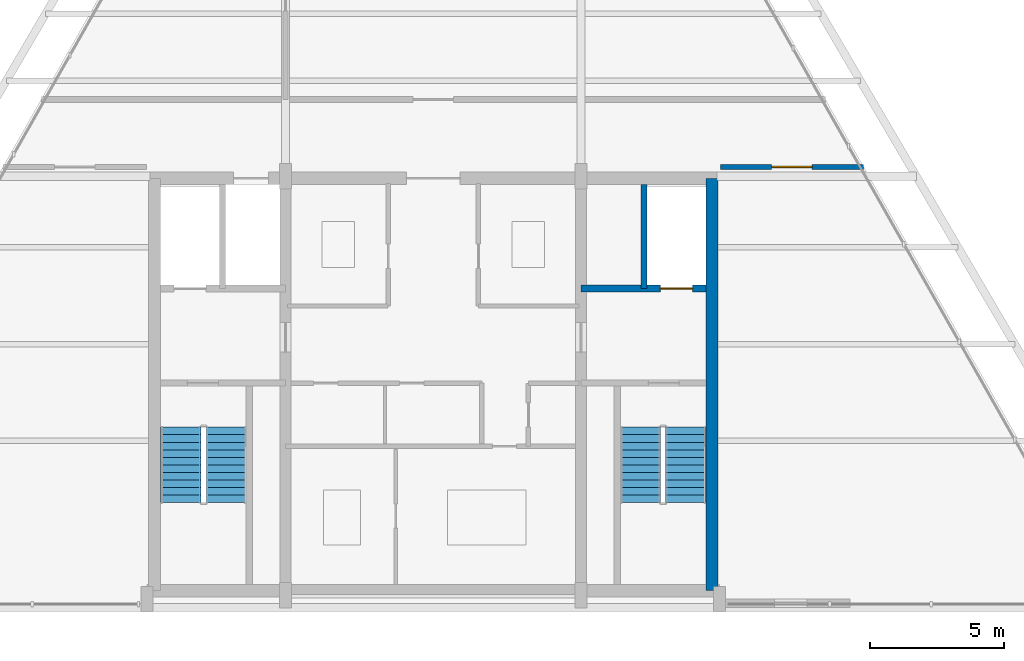
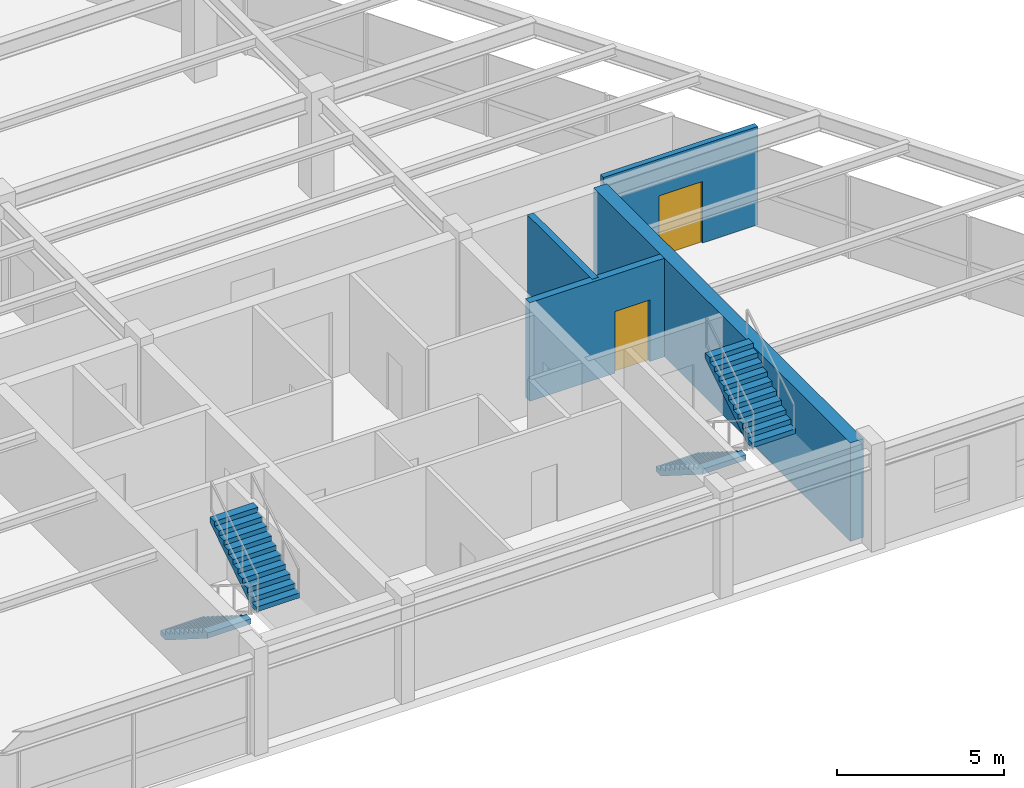
# One storey, part 11 of 12: 4 stair flights, 4 walls, 2 doors, 2 openings, 2 elements without a shape of their own.
"""IFC4 building model written with IfcOpenShell, lengths in metres."""

from ifc_helpers import new_model, si_unit, direction, frame, frame_2d, origin, place, context, subcontext, project, spatial, polyline, rectangle, outline, extrude, source, transform, mapped, material, layer, layer_set, type_object, type_shapes, element, fill, aggregate, save


model = new_model("IFC4")

# Units and contexts
model_context = context("Model", 3, precision=1e-05, world=origin(), true_north=direction((0.0, 1.0)))
body_context = subcontext(model_context, "Body", "Model", "MODEL_VIEW")
ifc_project = project(units=[si_unit("LENGTHUNIT", "METRE"), si_unit("AREAUNIT", "SQUARE_METRE"), si_unit("VOLUMEUNIT", "CUBIC_METRE"), si_unit("PLANEANGLEUNIT", "RADIAN"), si_unit("MASSUNIT", "GRAM", prefix="KILO")], contexts=[model_context])

# Site, building, storey
site_placement = place(None, origin())
site = spatial("IfcSite", under=ifc_project, at=site_placement, CompositionType="ELEMENT")
building_placement = place(site_placement, origin())
building = spatial("IfcBuilding", under=site, at=building_placement, Name="Varnakhor Terracotta Tower", CompositionType="ELEMENT")
storey_placement = place(building_placement, frame((0.0, 0.0, 313.60009765625)))
storey = spatial("IfcBuildingStorey", under=building, at=storey_placement, Name="L82 Crown", CompositionType="ELEMENT", Elevation=313.60009765625)

# Wall
ifc_material_1 = material(Name="Concrete C50/60", Category="concrete")
ifc_layer_1 = layer(ifc_material_1, 0.449951171875, Name="Concrete C50/60")
ifc_layer_set_1 = layer_set([ifc_layer_1], Name="Concrete C50/60")
wall_type_1 = type_object("IfcWallType", Name="WAL-CORE-450", PredefinedType="SHEAR", material=ifc_layer_set_1)
wall_1_placement = place(storey_placement, frame((10.375, 0.625, 0.0), z_axis=(0.0, 0.0, 1.0), x_axis=(0.0, 1.0, 0.0)))
element("IfcWall", 1, at=wall_1_placement, inside=storey, type_object=wall_type_1, Name="L82 Crown East Core Shear Wall", PredefinedType="SHEAR", context=body_context, shape_type="SweptSolid", body=[
    extrude(rectangle(XDim=15.35009765625, YDim=0.449951171875, at=frame_2d((7.675048828125, 0.0))), origin(), (0.0, 0.0, 1.0), 3.599853515625),
])

# Wall, opening, door
ifc_material_2 = material(Name="Fire-Rated Gypsum Stud Partition", Category="gypsum")
ifc_layer_2 = layer(ifc_material_2, 0.18505859375, Name="Fire-Rated Gypsum Stud Partition")
ifc_layer_set_2 = layer_set([ifc_layer_2], Name="Fire-Rated Gypsum Stud Partition")
wall_type_2 = type_object("IfcWallType", Name="WAL-CORR-185", PredefinedType="PARTITIONING", material=ifc_layer_set_2)
wall_2_placement = place(storey_placement, frame((10.679931640625, 16.39990234375, 0.0), z_axis=(0.0, 0.0, 1.0), x_axis=(1.0, 0.0, 0.0)))
wall_2 = element("IfcWall", 2, at=wall_2_placement, inside=storey, type_object=wall_type_2, Name="L82 Crown East Plant Wall", PredefinedType="PARTITIONING", context=body_context, shape_type="SweptSolid", body=[
    extrude(rectangle(XDim=5.32666015625, YDim=0.18505859375, at=frame_2d((2.663330078125, 0.0))), origin(), (0.0, 0.0, 1.0), 3.591796875),
])
opening_1_placement = place(wall_2_placement, frame((1.913330078125, 0.0, 0.0)))
opening_1 = element("IfcOpeningElement", 3, at=opening_1_placement, cuts=wall_2, Name="Opening DR-30", PredefinedType="OPENING", context=body_context, shape_type="SweptSolid", body=[
    extrude(rectangle(XDim=1.5, YDim=2.25, at=frame_2d((0.75, 1.125))), frame((0.0, 0.1025390625, 0.0), z_axis=(0.0, -1.0, 0.0), x_axis=(1.0, 0.0, 0.0)), (0.0, 0.0, 1.0), 0.205078125),
])
ifc_material_3 = material(Name="Double Acoustic Conference Room Door", Category="wood")
door_type_1 = type_object("IfcDoorType", Name="DR-MEET-1500X2250", OperationType="NOTDEFINED", PredefinedType="DOOR", material=ifc_material_3)
shared_shape_1 = source(origin(), body_context, "Body", "SweptSolid", [
    extrude(rectangle(XDim=1.5, YDim=2.25, at=frame_2d((0.75, 1.125))), frame((0.0, 0.02490234375, 0.0), z_axis=(0.0, -1.0, 0.0), x_axis=(1.0, 0.0, 0.0)), (0.0, 0.0, 1.0), 0.050048828125),
])
type_shapes(door_type_1, [shared_shape_1])
door_1_placement = place(opening_1_placement, origin())
door_1 = element("IfcDoor", 4, at=door_1_placement, inside=storey, type_object=door_type_1, Name="L82 Crown East Electrical Room Door", OperationType="DOUBLE_DOOR_SINGLE_SWING", OverallHeight=2.25, OverallWidth=1.5, PredefinedType="DOOR", context=body_context, shape_type="MappedRepresentation", body=[
    mapped(shared_shape_1, transform((0.0, 0.0, 0.0), scale=1.0)),
])
fill(opening_1, door_1)

# Wall
ifc_material_4 = material(Name="Concrete C40/50", Category="concrete")
ifc_layer_3 = layer(ifc_material_4, 0.219970703125, Name="Concrete C40/50")
ifc_layer_set_3 = layer_set([ifc_layer_3], Name="Concrete C40/50")
wall_type_3 = type_object("IfcWallType", Name="WAL-SHAFT-220", PredefinedType="SOLIDWALL", material=ifc_layer_set_3)
wall_3_placement = place(storey_placement, frame((7.840087890625, 11.8701171875, 0.0), z_axis=(0.0, 0.0, 1.0), x_axis=(0.0, 1.0, 0.0)))
element("IfcWall", 5, at=wall_3_placement, inside=storey, type_object=wall_type_3, Name="L82 Crown Lift FFL-2 and Riser Divider Wall", PredefinedType="SOLIDWALL", context=body_context, shape_type="SweptSolid", body=[
    extrude(rectangle(XDim=3.8798828125, YDim=0.219970703125, at=frame_2d((1.93994140625, 0.0))), origin(), (0.0, 0.0, 1.0), 3.599853515625),
])

# Wall, opening, door
ifc_layer_4 = layer(ifc_material_4, 0.25, Name="Concrete C40/50")
ifc_layer_set_4 = layer_set([ifc_layer_4], Name="Concrete C40/50")
wall_type_4 = type_object("IfcWallType", Name="WAL-SHAFT-250", PredefinedType="SOLIDWALL", material=ifc_layer_set_4)
wall_4_placement = place(storey_placement, frame((10.14990234375, 11.8701171875, 0.0), z_axis=(0.0, 0.0, 1.0), x_axis=(-1.0, 0.0, 0.0)))
wall_4 = element("IfcWall", 6, at=wall_4_placement, inside=storey, type_object=wall_type_4, Name="L82 Crown Lift FFL-2 Shaft Front Wall", PredefinedType="SOLIDWALL", context=body_context, shape_type="SweptSolid", body=[
    extrude(rectangle(XDim=4.64990234375, YDim=0.25, at=frame_2d((2.324951171875, 0.0))), origin(), (0.0, 0.0, 1.0), 3.599853515625),
])
opening_2_placement = place(wall_4_placement, frame((0.5, 0.0, 0.0)))
opening_2 = element("IfcOpeningElement", 7, at=opening_2_placement, cuts=wall_4, Name="Opening LD-02", PredefinedType="OPENING", context=body_context, shape_type="SweptSolid", body=[
    extrude(rectangle(XDim=1.199951171875, YDim=2.25, at=frame_2d((0.60009765625, 1.125))), frame((0.0, 0.135009765625, 0.0), z_axis=(0.0, -1.0, 0.0), x_axis=(1.0, 0.0, 0.0)), (0.0, 0.0, 1.0), 0.27001953125),
])
ifc_material_5 = material(Name="Firefighting Stretcher Sliding Lift Landing Door", Category="steel")
door_type_2 = type_object("IfcDoorType", Name="LD-FFL-1200X2250", OperationType="NOTDEFINED", PredefinedType="DOOR", material=ifc_material_5)
shared_shape_2 = source(origin(), body_context, "Body", "SweptSolid", [
    extrude(rectangle(XDim=1.199951171875, YDim=2.25, at=frame_2d((0.60009765625, 1.125))), frame((0.0, 0.02490234375, 0.0), z_axis=(0.0, -1.0, 0.0), x_axis=(1.0, 0.0, 0.0)), (0.0, 0.0, 1.0), 0.050048828125),
])
type_shapes(door_type_2, [shared_shape_2])
door_2_placement = place(opening_2_placement, origin())
door_2 = element("IfcDoor", 8, at=door_2_placement, inside=storey, type_object=door_type_2, Name="L82 Crown Firefighting Lift FFL-2 Landing Door", OperationType="SLIDING_TO_RIGHT", OverallHeight=2.25, OverallWidth=1.199951171875, PredefinedType="DOOR", context=body_context, shape_type="MappedRepresentation", body=[
    mapped(shared_shape_2, transform((0.0, 0.0, 0.0), scale=1.0)),
])
fill(opening_2, door_2)

# Stair, stair flights
stair_type = type_object("IfcStairType", Name="STR-CORE-HOTEL-1500", PredefinedType="HALF_TURN_STAIR", material=ifc_material_4)
stair_1_placement = place(storey_placement, origin())
stair_1 = element("IfcStair", 9, at=stair_1_placement, inside=storey, type_object=stair_type, Name="L82 Crown Core Exit Stair ST-1", PredefinedType="HALF_TURN_STAIR")
stair_flight_type = type_object("IfcStairFlightType", Name="FLT-HOTEL-1500", PredefinedType="STRAIGHT", material=ifc_material_4)
stair_flight_1_placement = place(storey_placement, frame((-9.39990234375, 6.7099609375, 0.0), z_axis=(0.0, 0.0, 1.0), x_axis=(0.0, -1.0, 0.0)))
stair_flight_1 = element("IfcStairFlight", 10, at=stair_flight_1_placement, type_object=stair_flight_type, Name="ST-1 flight 1", NumberOfRisers=11, NumberOfTreads=10, PredefinedType="STRAIGHT", RiserHeight=0.177272727, TreadLength=0.28, context=body_context, shape_type="SweptSolid", body=[
    extrude(outline(polyline([(0.0, 0.0), (0.0, 0.17724609375), (0.280029296875, 0.17724609375), (0.280029296875, 0.3544921875), (0.56005859375, 0.3544921875), (0.56005859375, 0.53173828125), (0.840087890625, 0.53173828125), (0.840087890625, 0.708984375), (1.1201171875, 0.708984375), (1.1201171875, 0.886474609375), (1.39990234375, 0.886474609375), (1.39990234375, 1.063720703125), (1.679931640625, 1.063720703125), (1.679931640625, 1.240966796875), (1.9599609375, 1.240966796875), (1.9599609375, 1.418212890625), (2.239990234375, 1.418212890625), (2.239990234375, 1.595458984375), (2.52001953125, 1.595458984375), (2.52001953125, 1.772705078125), (2.800048828125, 1.772705078125), (2.800048828125, 1.949951171875), (2.800048828125, 1.58349609375), (0.298828125, 0.0), (0.0, 0.0)])), frame((0.0, 0.75, 0.0), z_axis=(0.0, -1.0, 0.0), x_axis=(1.0, 0.0, 0.0)), (0.0, 0.0, 1.0), 1.5),
])
stair_flight_2_placement = place(storey_placement, frame((-7.699951171875, 3.909912109375, 1.949951171875), z_axis=(0.0, 0.0, 1.0), x_axis=(0.0, 1.0, 0.0)))
stair_flight_2 = element("IfcStairFlight", 11, at=stair_flight_2_placement, type_object=stair_flight_type, Name="ST-1 flight 2", NumberOfRisers=11, NumberOfTreads=10, PredefinedType="STRAIGHT", RiserHeight=0.177272727, TreadLength=0.28, context=body_context, shape_type="SweptSolid", body=[
    extrude(outline(polyline([(0.0, 0.0), (0.0, 0.17724609375), (0.280029296875, 0.17724609375), (0.280029296875, 0.3544921875), (0.56005859375, 0.3544921875), (0.56005859375, 0.53173828125), (0.840087890625, 0.53173828125), (0.840087890625, 0.708984375), (1.1201171875, 0.708984375), (1.1201171875, 0.886474609375), (1.39990234375, 0.886474609375), (1.39990234375, 1.063720703125), (1.679931640625, 1.063720703125), (1.679931640625, 1.240966796875), (1.9599609375, 1.240966796875), (1.9599609375, 1.418212890625), (2.239990234375, 1.418212890625), (2.239990234375, 1.595458984375), (2.52001953125, 1.595458984375), (2.52001953125, 1.772705078125), (2.800048828125, 1.772705078125), (2.800048828125, 1.949951171875), (2.800048828125, 1.58349609375), (0.298828125, 0.0), (0.0, 0.0)])), frame((0.0, 0.75, 0.0), z_axis=(0.0, -1.0, 0.0), x_axis=(1.0, 0.0, 0.0)), (0.0, 0.0, 1.0), 1.5),
])
aggregate(stair_1, [stair_flight_1, stair_flight_2])

stair_2_placement = place(storey_placement, origin())
stair_2 = element("IfcStair", 12, at=stair_2_placement, inside=storey, type_object=stair_type, Name="L82 Crown Core Exit Stair ST-2", PredefinedType="HALF_TURN_STAIR")
stair_flight_3_placement = place(storey_placement, frame((7.699951171875, 6.7099609375, 0.0), z_axis=(0.0, 0.0, 1.0), x_axis=(0.0, -1.0, 0.0)))
stair_flight_3 = element("IfcStairFlight", 13, at=stair_flight_3_placement, type_object=stair_flight_type, Name="ST-2 flight 1", NumberOfRisers=11, NumberOfTreads=10, PredefinedType="STRAIGHT", RiserHeight=0.177272727, TreadLength=0.28, context=body_context, shape_type="SweptSolid", body=[
    extrude(outline(polyline([(0.0, 0.0), (0.0, 0.17724609375), (0.280029296875, 0.17724609375), (0.280029296875, 0.3544921875), (0.56005859375, 0.3544921875), (0.56005859375, 0.53173828125), (0.840087890625, 0.53173828125), (0.840087890625, 0.708984375), (1.1201171875, 0.708984375), (1.1201171875, 0.886474609375), (1.39990234375, 0.886474609375), (1.39990234375, 1.063720703125), (1.679931640625, 1.063720703125), (1.679931640625, 1.240966796875), (1.9599609375, 1.240966796875), (1.9599609375, 1.418212890625), (2.239990234375, 1.418212890625), (2.239990234375, 1.595458984375), (2.52001953125, 1.595458984375), (2.52001953125, 1.772705078125), (2.800048828125, 1.772705078125), (2.800048828125, 1.949951171875), (2.800048828125, 1.58349609375), (0.298828125, 0.0), (0.0, 0.0)])), frame((0.0, 0.75, 0.0), z_axis=(0.0, -1.0, 0.0), x_axis=(1.0, 0.0, 0.0)), (0.0, 0.0, 1.0), 1.5),
])
stair_flight_4_placement = place(storey_placement, frame((9.39990234375, 3.909912109375, 1.949951171875), z_axis=(0.0, 0.0, 1.0), x_axis=(0.0, 1.0, 0.0)))
stair_flight_4 = element("IfcStairFlight", 14, at=stair_flight_4_placement, type_object=stair_flight_type, Name="ST-2 flight 2", NumberOfRisers=11, NumberOfTreads=10, PredefinedType="STRAIGHT", RiserHeight=0.177272727, TreadLength=0.28, context=body_context, shape_type="SweptSolid", body=[
    extrude(outline(polyline([(0.0, 0.0), (0.0, 0.17724609375), (0.280029296875, 0.17724609375), (0.280029296875, 0.3544921875), (0.56005859375, 0.3544921875), (0.56005859375, 0.53173828125), (0.840087890625, 0.53173828125), (0.840087890625, 0.708984375), (1.1201171875, 0.708984375), (1.1201171875, 0.886474609375), (1.39990234375, 0.886474609375), (1.39990234375, 1.063720703125), (1.679931640625, 1.063720703125), (1.679931640625, 1.240966796875), (1.9599609375, 1.240966796875), (1.9599609375, 1.418212890625), (2.239990234375, 1.418212890625), (2.239990234375, 1.595458984375), (2.52001953125, 1.595458984375), (2.52001953125, 1.772705078125), (2.800048828125, 1.772705078125), (2.800048828125, 1.949951171875), (2.800048828125, 1.58349609375), (0.298828125, 0.0), (0.0, 0.0)])), frame((0.0, 0.75, 0.0), z_axis=(0.0, -1.0, 0.0), x_axis=(1.0, 0.0, 0.0)), (0.0, 0.0, 1.0), 1.5),
])
aggregate(stair_2, [stair_flight_3, stair_flight_4])

save(model, "model.ifc")
